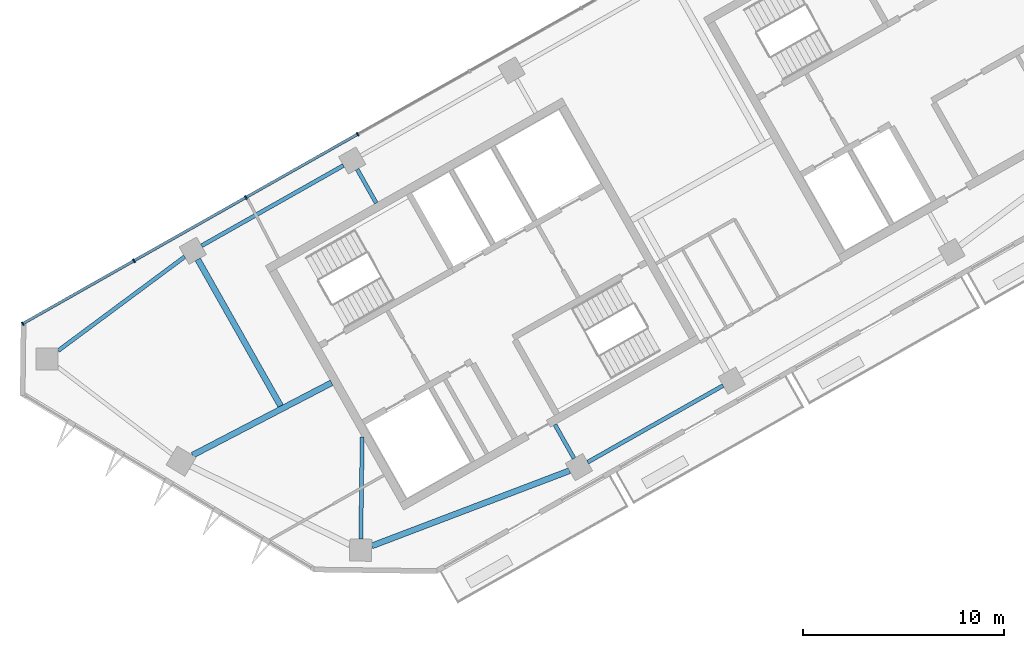
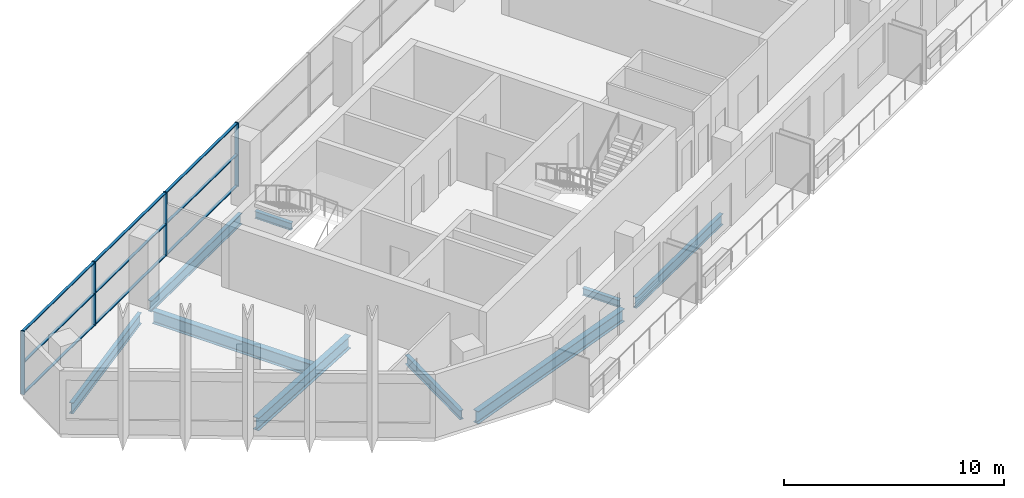
# One storey, part 2 of 10: 13 members, 9 beams, 1 element without a shape of its own.
"""IFC4 building model written with IfcOpenShell, lengths in metres."""

from ifc_helpers import new_model, si_unit, direction, frame, origin, origin_2d, place, context, subcontext, project, spatial, rectangle, i_section, extrude, material, material_profile, profile_set, type_object, element, aggregate, save


model = new_model("IFC4")

# Units and contexts
model_context = context("Model", 3, precision=1e-05, world=origin(), true_north=direction((0.0, 1.0)))
body_context = subcontext(model_context, "Body", "Model", "MODEL_VIEW")
ifc_project = project(units=[si_unit("LENGTHUNIT", "METRE"), si_unit("AREAUNIT", "SQUARE_METRE"), si_unit("VOLUMEUNIT", "CUBIC_METRE"), si_unit("PLANEANGLEUNIT", "RADIAN"), si_unit("MASSUNIT", "GRAM", prefix="KILO")], contexts=[model_context])

# Site, building, storey
site_placement = place(None, origin())
site = spatial("IfcSite", under=ifc_project, at=site_placement, CompositionType="ELEMENT")
building_placement = place(site_placement, origin())
building = spatial("IfcBuilding", under=site, at=building_placement, Name="Binnacle Exchange Tower", CompositionType="ELEMENT")
storey_placement = place(building_placement, frame((0.0, 0.0, 324.10009765625)))
storey = spatial("IfcBuildingStorey", under=building, at=storey_placement, Name="L73", CompositionType="ELEMENT", Elevation=324.10009765625)

# Curtain wall, members
ifc_material_1 = material(Name="Bronze anodised aluminium frame", Category="aluminium")
curtain_wall_type = type_object("IfcCurtainWallType", Name="External wall - curtain wall executive floors", PredefinedType="NOTDEFINED", material=ifc_material_1)
curtain_wall_placement = place(storey_placement, origin())
curtain_wall = element("IfcCurtainWall", 1, at=curtain_wall_placement, inside=storey, type_object=curtain_wall_type, Name="External wall curtain wall CW4-H03 L73", PredefinedType="NOTDEFINED")
ifc_material_profile_1 = material_profile(ifc_material_1, rectangle(XDim=0.199951171875, YDim=0.070068359375, at=origin_2d()), Name="AL 70x200")
ifc_profile_set_1 = profile_set([ifc_material_profile_1], Name="Bronze anodised aluminium frame")
member_type_1 = type_object("IfcMemberType", Name="CW4 MULLION 70x200", PredefinedType="MULLION", material=ifc_profile_set_1)
member_1_placement = place(storey_placement, frame((-42.0078125, 48.233154296875, 0.0), z_axis=(0.0, 0.0, 1.0), x_axis=(0.492423763019, -0.870355581136, 0.0)))
member_1 = element("IfcMember", 2, at=member_1_placement, type_object=member_type_1, Name="CW4-H03 mullion 8", PredefinedType="MULLION", context=body_context, shape_type="SweptSolid", body=[
    extrude(rectangle(XDim=0.199951171875, YDim=0.070068359375, at=origin_2d()), origin(), (0.0, 0.0, 1.0), 3.52001953125),
])
member_2_placement = place(storey_placement, frame((-47.58251953125, 45.0791015625, 0.0), z_axis=(0.0, 0.0, 1.0), x_axis=(0.492423763019, -0.870355581136, 0.0)))
member_2 = element("IfcMember", 3, at=member_2_placement, type_object=member_type_1, Name="CW4-H03 mullion 9", PredefinedType="MULLION", context=body_context, shape_type="SweptSolid", body=[
    extrude(rectangle(XDim=0.199951171875, YDim=0.070068359375, at=origin_2d()), origin(), (0.0, 0.0, 1.0), 3.52001953125),
])
member_3_placement = place(storey_placement, frame((-53.157470703125, 41.9248046875, 0.0), z_axis=(0.0, 0.0, 1.0), x_axis=(0.492423763019, -0.870355581136, 0.0)))
member_3 = element("IfcMember", 4, at=member_3_placement, type_object=member_type_1, Name="CW4-H03 mullion 10", PredefinedType="MULLION", context=body_context, shape_type="SweptSolid", body=[
    extrude(rectangle(XDim=0.199951171875, YDim=0.070068359375, at=origin_2d()), origin(), (0.0, 0.0, 1.0), 3.52001953125),
])
member_4_placement = place(storey_placement, frame((-58.701904296875, 38.7880859375, 0.0), z_axis=(0.0, 0.0, 1.0), x_axis=(0.492423763019, -0.870355581136, 0.0)))
member_4 = element("IfcMember", 5, at=member_4_placement, type_object=member_type_1, Name="CW4-H03 mullion 11", PredefinedType="MULLION", context=body_context, shape_type="SweptSolid", body=[
    extrude(rectangle(XDim=0.199951171875, YDim=0.070068359375, at=origin_2d()), origin(), (0.0, 0.0, 1.0), 3.52001953125),
])
ifc_material_profile_2 = material_profile(ifc_material_1, rectangle(XDim=0.139892578125, YDim=0.050048828125, at=origin_2d()), Name="AL 140x50")
ifc_profile_set_2 = profile_set([ifc_material_profile_2], Name="Bronze anodised aluminium frame")
member_type_2 = type_object("IfcMemberType", Name="CW4 TRANSOM 50x140", PredefinedType="USERDEFINED", material=ifc_profile_set_2)
member_5_placement = place(storey_placement, frame((-42.0380859375, 48.2158203125, 0.02490234375), z_axis=(-0.870355335808, -0.492424196633, 0.0), x_axis=(0.492424196633, -0.870355335808, 0.0)))
member_5 = element("IfcMember", 6, at=member_5_placement, type_object=member_type_2, Name="CW4-H03 transom 8.1", ObjectType="TRANSOM", PredefinedType="USERDEFINED", context=body_context, shape_type="SweptSolid", body=[
    extrude(rectangle(XDim=0.139892578125, YDim=0.050048828125, at=origin_2d()), origin(), (0.0, 0.0, 1.0), 6.335205078125),
])
member_6_placement = place(storey_placement, frame((-42.0380859375, 48.2158203125, 1.760009765625), z_axis=(-0.870355335808, -0.492424196633, 0.0), x_axis=(0.492424196633, -0.870355335808, 0.0)))
member_6 = element("IfcMember", 7, at=member_6_placement, type_object=member_type_2, Name="CW4-H03 transom 8.2", ObjectType="TRANSOM", PredefinedType="USERDEFINED", context=body_context, shape_type="SweptSolid", body=[
    extrude(rectangle(XDim=0.139892578125, YDim=0.050048828125, at=origin_2d()), origin(), (0.0, 0.0, 1.0), 6.335205078125),
])
member_7_placement = place(storey_placement, frame((-42.0380859375, 48.2158203125, 3.494873046875), z_axis=(-0.870355335808, -0.492424196633, 0.0), x_axis=(0.492424196633, -0.870355335808, 0.0)))
member_7 = element("IfcMember", 8, at=member_7_placement, type_object=member_type_2, Name="CW4-H03 transom 8.3", ObjectType="TRANSOM", PredefinedType="USERDEFINED", context=body_context, shape_type="SweptSolid", body=[
    extrude(rectangle(XDim=0.139892578125, YDim=0.050048828125, at=origin_2d()), origin(), (0.0, 0.0, 1.0), 6.335205078125),
])
member_8_placement = place(storey_placement, frame((-47.613037109375, 45.061767578125, 0.02490234375), z_axis=(-0.870355335808, -0.492424196633, 0.0), x_axis=(0.492424196633, -0.870355335808, 0.0)))
member_8 = element("IfcMember", 9, at=member_8_placement, type_object=member_type_2, Name="CW4-H03 transom 9.1", ObjectType="TRANSOM", PredefinedType="USERDEFINED", context=body_context, shape_type="SweptSolid", body=[
    extrude(rectangle(XDim=0.139892578125, YDim=0.050048828125, at=origin_2d()), origin(), (0.0, 0.0, 1.0), 6.335205078125),
])
member_9_placement = place(storey_placement, frame((-47.613037109375, 45.061767578125, 1.760009765625), z_axis=(-0.870355335808, -0.492424196633, 0.0), x_axis=(0.492424196633, -0.870355335808, 0.0)))
member_9 = element("IfcMember", 10, at=member_9_placement, type_object=member_type_2, Name="CW4-H03 transom 9.2", ObjectType="TRANSOM", PredefinedType="USERDEFINED", context=body_context, shape_type="SweptSolid", body=[
    extrude(rectangle(XDim=0.139892578125, YDim=0.050048828125, at=origin_2d()), origin(), (0.0, 0.0, 1.0), 6.335205078125),
])
member_10_placement = place(storey_placement, frame((-47.613037109375, 45.061767578125, 3.494873046875), z_axis=(-0.870355335808, -0.492424196633, 0.0), x_axis=(0.492424196633, -0.870355335808, 0.0)))
member_10 = element("IfcMember", 11, at=member_10_placement, type_object=member_type_2, Name="CW4-H03 transom 9.3", ObjectType="TRANSOM", PredefinedType="USERDEFINED", context=body_context, shape_type="SweptSolid", body=[
    extrude(rectangle(XDim=0.139892578125, YDim=0.050048828125, at=origin_2d()), origin(), (0.0, 0.0, 1.0), 6.335205078125),
])
member_11_placement = place(storey_placement, frame((-53.18798828125, 41.90771484375, 0.02490234375), z_axis=(-0.870343349272, -0.492445382126, 0.0), x_axis=(0.492445382126, -0.870343349272, 0.0)))
member_11 = element("IfcMember", 12, at=member_11_placement, type_object=member_type_2, Name="CW4-H03 transom 10.1", ObjectType="TRANSOM", PredefinedType="USERDEFINED", context=body_context, shape_type="SweptSolid", body=[
    extrude(rectangle(XDim=0.139892578125, YDim=0.050048828125, at=origin_2d()), origin(), (0.0, 0.0, 1.0), 6.30029296875),
])
member_12_placement = place(storey_placement, frame((-53.18798828125, 41.90771484375, 1.760009765625), z_axis=(-0.870343349272, -0.492445382126, 0.0), x_axis=(0.492445382126, -0.870343349272, 0.0)))
member_12 = element("IfcMember", 13, at=member_12_placement, type_object=member_type_2, Name="CW4-H03 transom 10.2", ObjectType="TRANSOM", PredefinedType="USERDEFINED", context=body_context, shape_type="SweptSolid", body=[
    extrude(rectangle(XDim=0.139892578125, YDim=0.050048828125, at=origin_2d()), origin(), (0.0, 0.0, 1.0), 6.30029296875),
])
member_13_placement = place(storey_placement, frame((-53.18798828125, 41.90771484375, 3.494873046875), z_axis=(-0.870343349272, -0.492445382126, 0.0), x_axis=(0.492445382126, -0.870343349272, 0.0)))
member_13 = element("IfcMember", 14, at=member_13_placement, type_object=member_type_2, Name="CW4-H03 transom 10.3", ObjectType="TRANSOM", PredefinedType="USERDEFINED", context=body_context, shape_type="SweptSolid", body=[
    extrude(rectangle(XDim=0.139892578125, YDim=0.050048828125, at=origin_2d()), origin(), (0.0, 0.0, 1.0), 6.30029296875),
])
aggregate(curtain_wall, [member_1, member_2, member_3, member_4, member_5, member_6, member_7, member_8, member_9, member_10, member_11, member_12, member_13])

# Beams
ifc_material_2 = material(Name="Steel S355 (SHN355)", Category="steel")
ifc_material_profile_3 = material_profile(ifc_material_2, i_section(OverallWidth=0.200927734375, OverallDepth=0.60595703125, WebThickness=0.011962890625, FlangeThickness=0.02001953125, FilletRadius=0.02197265625, at=origin_2d()), Name="H 606x201x12x20")
ifc_profile_set_3 = profile_set([ifc_material_profile_3], Name="Steel S355 (SHN355)")
beam_type_1 = type_object("IfcBeamType", Name="Edge girder H 606x201x12x20 Steel S355 (SHN355)", PredefinedType="SPANDREL", material=ifc_profile_set_3)
beam_1_placement = place(storey_placement, frame((-50.630615234375, 42.12255859375, -0.5830078125), z_axis=(-0.802881126557, -0.596139158769, 0.0), x_axis=(0.596139158769, -0.802881126557, 0.0)))
element("IfcBeam", 15, at=beam_1_placement, inside=storey, type_object=beam_type_1, Name="S:BM:edge:L73:005", PredefinedType="SPANDREL", context=body_context, shape_type="SweptSolid", body=[
    extrude(i_section(OverallWidth=0.200927734375, OverallDepth=0.60595703125, WebThickness=0.011962890625, FlangeThickness=0.02001953125, FilletRadius=0.02197265625, at=origin_2d()), origin(), (0.0, 0.0, 1.0), 7.855224609375),
])
beam_2_placement = place(storey_placement, frame((-30.540283203125, 31.881591796875, -0.5830078125), z_axis=(0.870358700717, 0.49241824914, 0.0), x_axis=(-0.49241824914, 0.870358700717, 0.0)))
element("IfcBeam", 16, at=beam_2_placement, inside=storey, type_object=beam_type_1, Name="S:BM:edge:L73:010", PredefinedType="SPANDREL", context=body_context, shape_type="SweptSolid", body=[
    extrude(i_section(OverallWidth=0.200927734375, OverallDepth=0.60595703125, WebThickness=0.011962890625, FlangeThickness=0.02001953125, FilletRadius=0.02197265625, at=origin_2d()), origin(), (0.0, 0.0, 1.0), 7.75439453125),
])
ifc_material_profile_4 = material_profile(ifc_material_2, i_section(OverallWidth=0.201904296875, OverallDepth=0.612060546875, WebThickness=0.012939453125, FlangeThickness=0.02294921875, FilletRadius=0.02197265625, at=origin_2d()), Name="H 612x202x13x23")
ifc_profile_set_4 = profile_set([ifc_material_profile_4], Name="Steel S355 (SHN355)")
beam_type_2 = type_object("IfcBeamType", Name="Edge girder H 612x202x13x23 Steel S355 (SHN355)", PredefinedType="SPANDREL", material=ifc_profile_set_4)
beam_3_placement = place(storey_placement, frame((-42.715087890625, 46.672607421875, -0.586181640625), z_axis=(-0.870353024448, -0.49242828192, 0.0), x_axis=(0.49242828192, -0.870353024448, 0.0)))
element("IfcBeam", 17, at=beam_3_placement, inside=storey, type_object=beam_type_2, Name="S:BM:edge:L73:007", PredefinedType="SPANDREL", context=body_context, shape_type="SweptSolid", body=[
    extrude(i_section(OverallWidth=0.201904296875, OverallDepth=0.612060546875, WebThickness=0.012939453125, FlangeThickness=0.02294921875, FilletRadius=0.02197265625, at=origin_2d()), origin(), (0.0, 0.0, 1.0), 8.1298828125),
])
ifc_material_profile_5 = material_profile(ifc_material_2, i_section(OverallWidth=0.300048828125, OverallDepth=0.699951171875, WebThickness=0.012939453125, FlangeThickness=0.02392578125, FilletRadius=0.028076171875, at=origin_2d()), Name="H 700x300x13x24")
ifc_profile_set_5 = profile_set([ifc_material_profile_5], Name="Steel S355 (SHN355)")
beam_type_3 = type_object("IfcBeamType", Name="Edge girder H 700x300x13x24 Steel S355 (SHN355)", PredefinedType="SPANDREL", material=ifc_profile_set_5)
beam_4_placement = place(storey_placement, frame((-41.304931640625, 27.705078125, -0.630126953125), z_axis=(0.934635447744, 0.35560733938, 0.0), x_axis=(-0.35560733938, 0.934635447744, 0.0)))
element("IfcBeam", 18, at=beam_4_placement, inside=storey, type_object=beam_type_3, Name="S:BM:edge:L73:008", PredefinedType="SPANDREL", context=body_context, shape_type="SweptSolid", body=[
    extrude(i_section(OverallWidth=0.300048828125, OverallDepth=0.699951171875, WebThickness=0.012939453125, FlangeThickness=0.02392578125, FilletRadius=0.028076171875, at=origin_2d()), origin(), (0.0, 0.0, 1.0), 10.546142578125),
])
ifc_material_profile_6 = material_profile(ifc_material_2, i_section(OverallWidth=0.199951171875, OverallDepth=0.39990234375, WebThickness=0.008056640625, FlangeThickness=0.012939453125, FilletRadius=0.01611328125, at=origin_2d()), Name="H 400x200x8x13")
ifc_profile_set_6 = profile_set([ifc_material_profile_6], Name="Steel S355 (SHN355)")
beam_type_4 = type_object("IfcBeamType", Name="Floor beam H 400x200x8x13 Steel S355 (SHN355)", PredefinedType="BEAM", material=ifc_profile_set_6)
beam_5_placement = place(storey_placement, frame((-42.03369140625, 46.4833984375, -0.47998046875), z_axis=(0.492423244016, -0.870355874773, 0.0), x_axis=(0.870355874773, 0.492423244016, 0.0)))
element("IfcBeam", 19, at=beam_5_placement, inside=storey, type_object=beam_type_4, Name="S:BM:cross:L73:020", PredefinedType="BEAM", context=body_context, shape_type="SweptSolid", body=[
    extrude(i_section(OverallWidth=0.199951171875, OverallDepth=0.39990234375, WebThickness=0.008056640625, FlangeThickness=0.012939453125, FilletRadius=0.01611328125, at=origin_2d()), origin(), (0.0, 0.0, 1.0), 1.93408203125),
])
beam_6_placement = place(storey_placement, frame((-31.2216796875, 32.070556640625, -0.47998046875), z_axis=(-0.492518856771, 0.870301772792, 0.0), x_axis=(-0.870301772792, -0.492518856771, 0.0)))
element("IfcBeam", 20, at=beam_6_placement, inside=storey, type_object=beam_type_4, Name="S:BM:cross:L73:023", PredefinedType="BEAM", context=body_context, shape_type="SweptSolid", body=[
    extrude(i_section(OverallWidth=0.199951171875, OverallDepth=0.39990234375, WebThickness=0.008056640625, FlangeThickness=0.012939453125, FilletRadius=0.01611328125, at=origin_2d()), origin(), (0.0, 0.0, 1.0), 1.934326171875),
])
ifc_material_profile_7 = material_profile(ifc_material_2, i_section(OverallWidth=0.200927734375, OverallDepth=0.506103515625, WebThickness=0.010986328125, FlangeThickness=0.01904296875, FilletRadius=0.02001953125, at=origin_2d()), Name="H 506x201x11x19")
ifc_profile_set_7 = profile_set([ifc_material_profile_7], Name="Steel S355 (SHN355)")
beam_type_5 = type_object("IfcBeamType", Name="Floor beam H 506x201x11x19 Steel S355 (SHN355)", PredefinedType="BEAM", material=ifc_profile_set_7)
beam_7_placement = place(storey_placement, frame((-41.8505859375, 28.044921875, -0.533203125), z_axis=(0.013115195493, 0.999913992125, 0.0), x_axis=(-0.999913992125, 0.013115195493, 0.0)))
element("IfcBeam", 21, at=beam_7_placement, inside=storey, type_object=beam_type_5, Name="S:BM:cross:L73:021", PredefinedType="BEAM", context=body_context, shape_type="SweptSolid", body=[
    extrude(i_section(OverallWidth=0.200927734375, OverallDepth=0.506103515625, WebThickness=0.010986328125, FlangeThickness=0.01904296875, FilletRadius=0.02001953125, at=origin_2d()), origin(), (0.0, 0.0, 1.0), 5.1005859375),
])
ifc_material_profile_8 = material_profile(ifc_material_2, i_section(OverallWidth=0.300048828125, OverallDepth=0.699951171875, WebThickness=0.012939453125, FlangeThickness=0.02392578125, FilletRadius=0.028076171875, at=origin_2d()), Name="H 700x300x13x24")
ifc_profile_set_8 = profile_set([ifc_material_profile_8], Name="Steel S355 (SHN355)")
beam_type_6 = type_object("IfcBeamType", Name="Floor beam H 700x300x13x24 Steel S355 (SHN355)", PredefinedType="BEAM", material=ifc_profile_set_8)
beam_8_placement = place(storey_placement, frame((-49.97998046875, 41.98779296875, -0.630126953125), z_axis=(0.492421517933, -0.870356851341, 0.0), x_axis=(0.870356851341, 0.492421517933, 0.0)))
element("IfcBeam", 22, at=beam_8_placement, inside=storey, type_object=beam_type_6, Name="S:BM:cross:L73:019", PredefinedType="BEAM", context=body_context, shape_type="SweptSolid", body=[
    extrude(i_section(OverallWidth=0.300048828125, OverallDepth=0.699951171875, WebThickness=0.012939453125, FlangeThickness=0.02392578125, FilletRadius=0.028076171875, at=origin_2d()), origin(), (0.0, 0.0, 1.0), 8.391357421875),
])
ifc_material_profile_9 = material_profile(ifc_material_2, i_section(OverallWidth=0.300048828125, OverallDepth=0.699951171875, WebThickness=0.012939453125, FlangeThickness=0.02392578125, FilletRadius=0.028076171875, at=origin_2d()), Name="H 700x300x13x24")
ifc_profile_set_9 = profile_set([ifc_material_profile_9], Name="Steel S355 (SHN355)")
beam_type_7 = type_object("IfcBeamType", Name="Spine girder H 700x300x13x24 Steel S355 (SHN355)", PredefinedType="BEAM", material=ifc_profile_set_9)
beam_9_placement = place(storey_placement, frame((-50.239990234375, 32.228759765625, -0.630126953125), z_axis=(0.886978864001, 0.461810020264, 0.0), x_axis=(-0.461810020264, 0.886978864001, 0.0)))
element("IfcBeam", 23, at=beam_9_placement, inside=storey, type_object=beam_type_7, Name="S:BM:spine:L73:001", PredefinedType="BEAM", context=body_context, shape_type="SweptSolid", body=[
    extrude(i_section(OverallWidth=0.300048828125, OverallDepth=0.699951171875, WebThickness=0.012939453125, FlangeThickness=0.02392578125, FilletRadius=0.028076171875, at=origin_2d()), origin(), (0.0, 0.0, 1.0), 7.815673828125),
])

save(model, "model.ifc")
